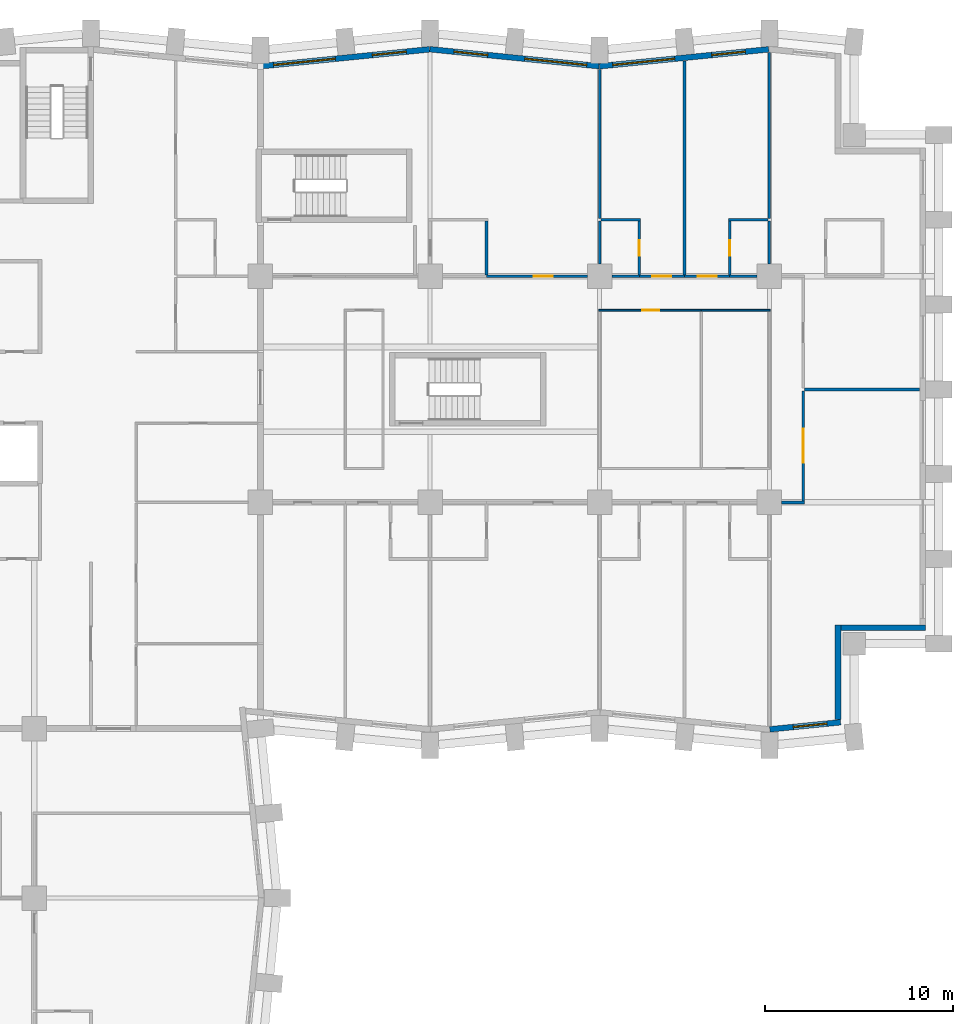
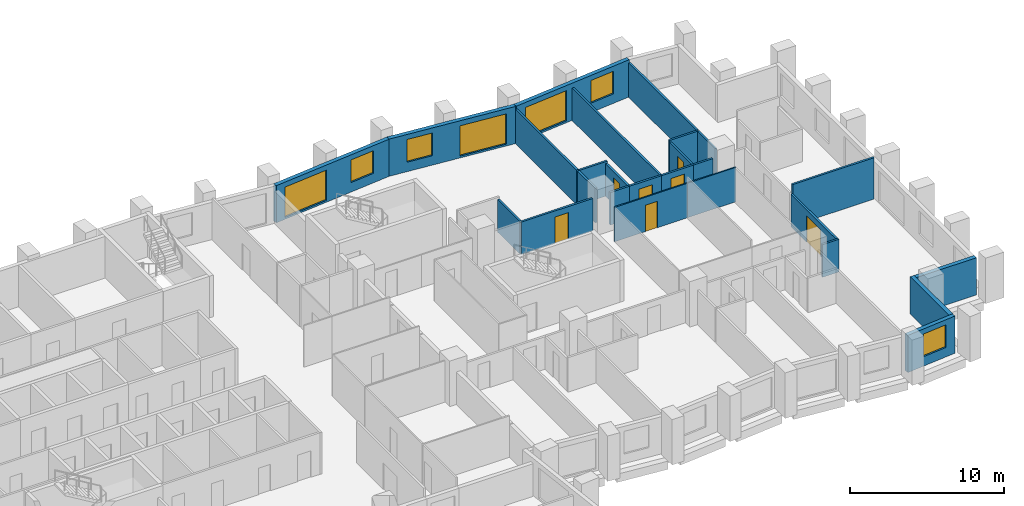
# One storey, part 9 of 13: 26 walls, 7 doors, 7 windows, 14 openings.
"""IFC4 building model written with IfcOpenShell, lengths in metres."""

from ifc_helpers import new_model, si_unit, direction, frame, frame_2d, origin, place, context, subcontext, project, spatial, rectangle, extrude, material, layer, layer_set, type_object, element, fill, save


model = new_model("IFC4")

# Units and contexts
model_context = context("Model", 3, precision=1e-05, world=origin(), true_north=direction((0.0, 1.0)))
body_context = subcontext(model_context, "Body", "Model", "MODEL_VIEW")
ifc_project = project(units=[si_unit("LENGTHUNIT", "METRE"), si_unit("AREAUNIT", "SQUARE_METRE"), si_unit("VOLUMEUNIT", "CUBIC_METRE"), si_unit("PLANEANGLEUNIT", "RADIAN"), si_unit("MASSUNIT", "GRAM", prefix="KILO")], contexts=[model_context])

# Site, building, storey
site_placement = place(None, origin())
site = spatial("IfcSite", under=ifc_project, at=site_placement, CompositionType="ELEMENT")
building_placement = place(site_placement, origin())
building = spatial("IfcBuilding", under=site, at=building_placement, Name="Brondeck Convention Tower", CompositionType="ELEMENT")
storey_placement = place(building_placement, frame((0.0, 0.0, 73.5)))
storey = spatial("IfcBuildingStorey", under=building, at=storey_placement, Name="L16", CompositionType="ELEMENT", Elevation=73.5)

# Wall, opening, window
ifc_material_1 = material(Name="Precast concrete C50/60 bronze finish", Category="concrete")
ifc_layer_1 = layer(ifc_material_1, 0.070068359375, Name="Bronze precast facing")
ifc_material_2 = material(Name="Mineral wool")
ifc_layer_2 = layer(ifc_material_2, 0.159912109375, Name="Insulation")
ifc_material_3 = material(Name="Concrete C35/45", Category="concrete")
ifc_layer_3 = layer(ifc_material_3, 0.070068359375, Name="Backing")
ifc_layer_set_1 = layer_set([ifc_layer_1, ifc_layer_2, ifc_layer_3], Name="External infill wall, precast concrete C50/60 bronze facing")
wall_type_1 = type_object("IfcWallType", Name="External infill wall, precast concrete C50/60 bronze facing", PredefinedType="SOLIDWALL", material=ifc_layer_set_1)
wall_1_placement = place(storey_placement, frame((66.78515625, 27.332763671875, 0.0), z_axis=(0.0, 0.0, 1.0), x_axis=(-0.995038471088, -0.099490909409, 0.0)))
wall_1 = element("IfcWall", 1, at=wall_1_placement, inside=storey, type_object=wall_type_1, Name="ENV-EW-L16-P0-A-S-06", PredefinedType="SOLIDWALL", context=body_context, shape_type="SweptSolid", body=[
    extrude(rectangle(XDim=3.774169921875, YDim=0.300048828125, at=frame_2d((1.88720703125, 0.0))), origin(), (0.0, 0.0, 1.0), 2.949951171875),
])
opening_1_placement = place(wall_1_placement, frame((0.727783203125, 0.0, 0.75)))
opening_1 = element("IfcOpeningElement", 2, at=opening_1_placement, cuts=wall_1, Name="Opening W10", PredefinedType="OPENING", context=body_context, shape_type="SweptSolid", body=[
    extrude(rectangle(XDim=1.800048828125, YDim=1.800048828125, at=frame_2d((0.89990234375, 0.89990234375))), frame((0.0, 0.159912109375, 0.0), z_axis=(0.0, -1.0, 0.0), x_axis=(1.0, 0.0, 0.0)), (0.0, 0.0, 1.0), 0.320068359375),
])
ifc_material_4 = material(Name="Bronze tinted double glazing", Category="glass")
window_type_1 = type_object("IfcWindowType", Name="Punched window, bronze tinted", PartitioningType="SINGLE_PANEL", PredefinedType="WINDOW", material=ifc_material_4)
window_1_placement = place(opening_1_placement, origin())
window_1 = element("IfcWindow", 3, at=window_1_placement, inside=storey, type_object=window_type_1, Name="ENV-WN-L16-P0-A-S-06", OverallHeight=1.800048828125, OverallWidth=1.800048828125, PartitioningType="SINGLE_PANEL", PredefinedType="WINDOW", context=body_context, shape_type="SweptSolid", body=[
    extrude(rectangle(XDim=1.800048828125, YDim=1.800048828125, at=frame_2d((0.89990234375, 0.89990234375))), frame((0.0, 0.030029296875, 0.0), z_axis=(0.0, -1.0, 0.0), x_axis=(1.0, 0.0, 0.0)), (0.0, 0.0, 1.0), 0.06005859375),
])
fill(opening_1, window_1)

# Walls
wall_2_placement = place(storey_placement, frame((66.64990234375, 32.5, 0.0), z_axis=(0.0, 0.0, 1.0), x_axis=(0.0, -1.0, 0.0)))
element("IfcWall", 4, at=wall_2_placement, inside=storey, type_object=wall_type_1, Name="ENV-EW-L16-P0-NC-SEA72-01", PredefinedType="SOLIDWALL", context=body_context, shape_type="SweptSolid", body=[
    extrude(rectangle(XDim=5.02880859375, YDim=0.300048828125, at=frame_2d((2.514404296875, 0.0))), origin(), (0.0, 0.0, 1.0), 2.949951171875),
])
wall_3_placement = place(storey_placement, frame((71.300048828125, 32.35009765625, 0.0), z_axis=(0.0, 0.0, 1.0), x_axis=(-1.0, 0.0, 0.0)))
element("IfcWall", 5, at=wall_3_placement, inside=storey, type_object=wall_type_1, Name="ENV-EW-L16-P0-NC-SEA72-02", PredefinedType="SOLIDWALL", context=body_context, shape_type="SweptSolid", body=[
    extrude(rectangle(XDim=4.5, YDim=0.300048828125, at=frame_2d((2.25, 0.0))), origin(), (0.0, 0.0, 1.0), 2.949951171875),
])

# Wall, openings, windows
wall_4_placement = place(storey_placement, frame((53.985107421875, 62.144287109375, 0.0), z_axis=(0.0, 0.0, 1.0), x_axis=(0.995037993253, 0.099495688264, 0.0)))
wall_4 = element("IfcWall", 6, at=wall_4_placement, inside=storey, type_object=wall_type_1, Name="ENV-EW-L16-P0-A-N-13", PredefinedType="SOLIDWALL", context=body_context, shape_type="SweptSolid", body=[
    extrude(rectangle(XDim=9.030029296875, YDim=0.300048828125, at=frame_2d((4.51513671875, 0.0))), origin(), (0.0, 0.0, 1.0), 2.949951171875),
])
opening_2_placement = place(wall_4_placement, frame((0.711181640625, 0.0, 0.14990234375)))
opening_2 = element("IfcOpeningElement", 7, at=opening_2_placement, cuts=wall_4, Name="Opening W9", PredefinedType="OPENING", context=body_context, shape_type="SweptSolid", body=[
    extrude(rectangle(XDim=3.300048828125, YDim=2.39990234375, at=frame_2d((1.64990234375, 1.199951171875))), frame((0.0, 0.159912109375, 0.0), z_axis=(0.0, -1.0, 0.0), x_axis=(1.0, 0.0, 0.0)), (0.0, 0.0, 1.0), 0.320068359375),
])
opening_3_placement = place(wall_4_placement, frame((5.983642578125, 0.0, 0.75)))
opening_3 = element("IfcOpeningElement", 8, at=opening_3_placement, cuts=wall_4, Name="Opening W10", PredefinedType="OPENING", context=body_context, shape_type="SweptSolid", body=[
    extrude(rectangle(XDim=1.800048828125, YDim=1.800048828125, at=frame_2d((0.89990234375, 0.89990234375))), frame((0.0, 0.159912109375, 0.0), z_axis=(0.0, -1.0, 0.0), x_axis=(1.0, 0.0, 0.0)), (0.0, 0.0, 1.0), 0.320068359375),
])
window_type_2 = type_object("IfcWindowType", Name="Glazed flute window, bronze tinted", PartitioningType="SINGLE_PANEL", PredefinedType="WINDOW", material=ifc_material_4)
window_2_placement = place(opening_2_placement, origin())
window_2 = element("IfcWindow", 9, at=window_2_placement, inside=storey, type_object=window_type_2, Name="ENV-WN-L16-P0-A-N-12", OverallHeight=2.39990234375, OverallWidth=3.300048828125, PartitioningType="SINGLE_PANEL", PredefinedType="WINDOW", context=body_context, shape_type="SweptSolid", body=[
    extrude(rectangle(XDim=3.300048828125, YDim=2.39990234375, at=frame_2d((1.64990234375, 1.199951171875))), frame((0.0, 0.030029296875, 0.0), z_axis=(0.0, -1.0, 0.0), x_axis=(1.0, 0.0, 0.0)), (0.0, 0.0, 1.0), 0.06005859375),
])
fill(opening_2, window_2)
window_3_placement = place(opening_3_placement, origin())
window_3 = element("IfcWindow", 10, at=window_3_placement, inside=storey, type_object=window_type_1, Name="ENV-WN-L16-P0-A-N-13", OverallHeight=1.800048828125, OverallWidth=1.800048828125, PartitioningType="SINGLE_PANEL", PredefinedType="WINDOW", context=body_context, shape_type="SweptSolid", body=[
    extrude(rectangle(XDim=1.800048828125, YDim=1.800048828125, at=frame_2d((0.89990234375, 0.89990234375))), frame((0.0, 0.030029296875, 0.0), z_axis=(0.0, -1.0, 0.0), x_axis=(1.0, 0.0, 0.0)), (0.0, 0.0, 1.0), 0.06005859375),
])
fill(opening_3, window_3)

wall_5_placement = place(storey_placement, frame((44.985107421875, 63.04736328125, 0.0), z_axis=(0.0, 0.0, 1.0), x_axis=(0.995035316196, -0.099522457379, 0.0)))
wall_5 = element("IfcWall", 11, at=wall_5_placement, inside=storey, type_object=wall_type_1, Name="ENV-EW-L16-P0-A-N-11", PredefinedType="SOLIDWALL", context=body_context, shape_type="SweptSolid", body=[
    extrude(rectangle(XDim=9.030029296875, YDim=0.300048828125, at=frame_2d((4.51513671875, 0.0))), origin(), (0.0, 0.0, 1.0), 2.949951171875),
])
opening_4_placement = place(wall_5_placement, frame((1.291259765625, 0.0, 0.75)))
opening_4 = element("IfcOpeningElement", 12, at=opening_4_placement, cuts=wall_5, Name="Opening W10", PredefinedType="OPENING", context=body_context, shape_type="SweptSolid", body=[
    extrude(rectangle(XDim=1.800048828125, YDim=1.800048828125, at=frame_2d((0.89990234375, 0.89990234375))), frame((0.0, 0.159912109375, 0.0), z_axis=(0.0, -1.0, 0.0), x_axis=(1.0, 0.0, 0.0)), (0.0, 0.0, 1.0), 0.320068359375),
])
opening_5_placement = place(wall_5_placement, frame((5.063720703125, 0.0, 0.14990234375)))
opening_5 = element("IfcOpeningElement", 13, at=opening_5_placement, cuts=wall_5, Name="Opening W9", PredefinedType="OPENING", context=body_context, shape_type="SweptSolid", body=[
    extrude(rectangle(XDim=3.300048828125, YDim=2.39990234375, at=frame_2d((1.64990234375, 1.199951171875))), frame((0.0, 0.159912109375, 0.0), z_axis=(0.0, -1.0, 0.0), x_axis=(1.0, 0.0, 0.0)), (0.0, 0.0, 1.0), 0.320068359375),
])
window_4_placement = place(opening_5_placement, origin())
window_4 = element("IfcWindow", 14, at=window_4_placement, inside=storey, type_object=window_type_2, Name="ENV-WN-L16-P0-A-N-11", OverallHeight=2.39990234375, OverallWidth=3.300048828125, PartitioningType="SINGLE_PANEL", PredefinedType="WINDOW", context=body_context, shape_type="SweptSolid", body=[
    extrude(rectangle(XDim=3.300048828125, YDim=2.39990234375, at=frame_2d((1.64990234375, 1.199951171875))), frame((0.0, 0.030029296875, 0.0), z_axis=(0.0, -1.0, 0.0), x_axis=(1.0, 0.0, 0.0)), (0.0, 0.0, 1.0), 0.06005859375),
])
fill(opening_5, window_4)
window_5_placement = place(opening_4_placement, origin())
window_5 = element("IfcWindow", 15, at=window_5_placement, inside=storey, type_object=window_type_1, Name="ENV-WN-L16-P0-A-N-10", OverallHeight=1.800048828125, OverallWidth=1.800048828125, PartitioningType="SINGLE_PANEL", PredefinedType="WINDOW", context=body_context, shape_type="SweptSolid", body=[
    extrude(rectangle(XDim=1.800048828125, YDim=1.800048828125, at=frame_2d((0.89990234375, 0.89990234375))), frame((0.0, 0.030029296875, 0.0), z_axis=(0.0, -1.0, 0.0), x_axis=(1.0, 0.0, 0.0)), (0.0, 0.0, 1.0), 0.06005859375),
])
fill(opening_4, window_5)

wall_6_placement = place(storey_placement, frame((35.985107421875, 62.144287109375, 0.0), z_axis=(0.0, 0.0, 1.0), x_axis=(0.995037993253, 0.099495688264, 0.0)))
wall_6 = element("IfcWall", 16, at=wall_6_placement, inside=storey, type_object=wall_type_1, Name="ENV-EW-L16-P0-A-N-09", PredefinedType="SOLIDWALL", context=body_context, shape_type="SweptSolid", body=[
    extrude(rectangle(XDim=9.030029296875, YDim=0.300048828125, at=frame_2d((4.51513671875, 0.0))), origin(), (0.0, 0.0, 1.0), 2.949951171875),
])
opening_6_placement = place(wall_6_placement, frame((0.711181640625, 0.0, 0.14990234375)))
opening_6 = element("IfcOpeningElement", 17, at=opening_6_placement, cuts=wall_6, Name="Opening W9", PredefinedType="OPENING", context=body_context, shape_type="SweptSolid", body=[
    extrude(rectangle(XDim=3.300048828125, YDim=2.39990234375, at=frame_2d((1.64990234375, 1.199951171875))), frame((0.0, 0.159912109375, 0.0), z_axis=(0.0, -1.0, 0.0), x_axis=(1.0, 0.0, 0.0)), (0.0, 0.0, 1.0), 0.320068359375),
])
opening_7_placement = place(wall_6_placement, frame((5.983642578125, 0.0, 0.75)))
opening_7 = element("IfcOpeningElement", 18, at=opening_7_placement, cuts=wall_6, Name="Opening W10", PredefinedType="OPENING", context=body_context, shape_type="SweptSolid", body=[
    extrude(rectangle(XDim=1.800048828125, YDim=1.800048828125, at=frame_2d((0.89990234375, 0.89990234375))), frame((0.0, 0.159912109375, 0.0), z_axis=(0.0, -1.0, 0.0), x_axis=(1.0, 0.0, 0.0)), (0.0, 0.0, 1.0), 0.320068359375),
])
window_6_placement = place(opening_6_placement, origin())
window_6 = element("IfcWindow", 19, at=window_6_placement, inside=storey, type_object=window_type_2, Name="ENV-WN-L16-P0-A-N-08", OverallHeight=2.39990234375, OverallWidth=3.300048828125, PartitioningType="SINGLE_PANEL", PredefinedType="WINDOW", context=body_context, shape_type="SweptSolid", body=[
    extrude(rectangle(XDim=3.300048828125, YDim=2.39990234375, at=frame_2d((1.64990234375, 1.199951171875))), frame((0.0, 0.030029296875, 0.0), z_axis=(0.0, -1.0, 0.0), x_axis=(1.0, 0.0, 0.0)), (0.0, 0.0, 1.0), 0.06005859375),
])
fill(opening_6, window_6)
window_7_placement = place(opening_7_placement, origin())
window_7 = element("IfcWindow", 20, at=window_7_placement, inside=storey, type_object=window_type_1, Name="ENV-WN-L16-P0-A-N-09", OverallHeight=1.800048828125, OverallWidth=1.800048828125, PartitioningType="SINGLE_PANEL", PredefinedType="WINDOW", context=body_context, shape_type="SweptSolid", body=[
    extrude(rectangle(XDim=1.800048828125, YDim=1.800048828125, at=frame_2d((0.89990234375, 0.89990234375))), frame((0.0, 0.030029296875, 0.0), z_axis=(0.0, -1.0, 0.0), x_axis=(1.0, 0.0, 0.0)), (0.0, 0.0, 1.0), 0.06005859375),
])
fill(opening_7, window_7)

# Wall
ifc_material_5 = material(Name="Double gypsum board acoustic wall")
ifc_layer_4 = layer(ifc_material_5, 0.14990234375)
ifc_layer_set_2 = layer_set([ifc_layer_4], Name="Guest room party wall 150")
wall_type_2 = type_object("IfcWallType", Name="Guest room party wall 150", PredefinedType="PARTITIONING", material=ifc_layer_set_2)
wall_7_placement = place(storey_placement, frame((64.875, 39.0, 0.0), z_axis=(0.0, 0.0, 1.0), x_axis=(-1.0, 0.0, 0.0)))
element("IfcWall", 21, at=wall_7_placement, inside=storey, type_object=wall_type_2, Name="FLR-L16-W072", PredefinedType="PARTITIONING", context=body_context, shape_type="SweptSolid", body=[
    extrude(rectangle(XDim=1.219970703125, YDim=0.14990234375, at=frame_2d((0.60986328125, 0.0))), origin(), (0.0, 0.0, 1.0), 2.580078125),
])

# Wall, opening, door
wall_8_placement = place(storey_placement, frame((64.800048828125, 44.925048828125, 0.0), z_axis=(0.0, 0.0, 1.0), x_axis=(0.0, -1.0, 0.0)))
wall_8 = element("IfcWall", 22, at=wall_8_placement, inside=storey, type_object=wall_type_2, Name="FLR-L16-W080", PredefinedType="PARTITIONING", context=body_context, shape_type="SweptSolid", body=[
    extrude(rectangle(XDim=5.85009765625, YDim=0.14990234375, at=frame_2d((2.925048828125, 0.0))), origin(), (0.0, 0.0, 1.0), 2.580078125),
])
opening_8_placement = place(wall_8_placement, frame((2.02490234375, 0.0, 0.0)))
opening_8 = element("IfcOpeningElement", 23, at=opening_8_placement, cuts=wall_8, Name="Opening H4-022", PredefinedType="OPENING", context=body_context, shape_type="SweptSolid", body=[
    extrude(rectangle(XDim=1.800048828125, YDim=2.10009765625, at=frame_2d((0.89990234375, 1.050048828125))), frame((0.0, 0.0849609375, 0.0), z_axis=(0.0, -1.0, 0.0), x_axis=(1.0, 0.0, 0.0)), (0.0, 0.0, 1.0), 0.169921875),
])
ifc_material_6 = material(Name="Glazed timber double door", Category="wood")
door_type_1 = type_object("IfcDoorType", Name="Double door 1800", OperationType="DOUBLE_DOOR_SINGLE_SWING", PredefinedType="DOOR", material=ifc_material_6)
door_1_placement = place(opening_8_placement, origin())
door_1 = element("IfcDoor", 24, at=door_1_placement, inside=storey, type_object=door_type_1, Name="Door H4-022", OperationType="DOUBLE_DOOR_SINGLE_SWING", OverallHeight=2.10009765625, OverallWidth=1.800048828125, PredefinedType="DOOR", context=body_context, shape_type="SweptSolid", body=[
    extrude(rectangle(XDim=1.800048828125, YDim=2.10009765625, at=frame_2d((0.89990234375, 1.050048828125))), frame((0.0, 0.02490234375, 0.0), z_axis=(0.0, -1.0, 0.0), x_axis=(1.0, 0.0, 0.0)), (0.0, 0.0, 1.0), 0.050048828125),
])
fill(opening_8, door_1)

# Wall
wall_9_placement = place(storey_placement, frame((70.97998046875, 45.0, 0.0), z_axis=(0.0, 0.0, 1.0), x_axis=(-1.0, 0.0, 0.0)))
element("IfcWall", 25, at=wall_9_placement, inside=storey, type_object=wall_type_2, Name="FLR-L16-W081", PredefinedType="PARTITIONING", context=body_context, shape_type="SweptSolid", body=[
    extrude(rectangle(XDim=6.10498046875, YDim=0.14990234375, at=frame_2d((3.052490234375, 0.0))), origin(), (0.0, 0.0, 1.0), 3.280029296875),
])

# Wall, opening, door
wall_10_placement = place(storey_placement, frame((48.0, 51.0, 0.0), z_axis=(0.0, 0.0, 1.0), x_axis=(1.0, 0.0, 0.0)))
wall_10 = element("IfcWall", 26, at=wall_10_placement, inside=storey, type_object=wall_type_2, Name="FLR-L16-W100", PredefinedType="PARTITIONING", context=body_context, shape_type="SweptSolid", body=[
    extrude(rectangle(XDim=5.344970703125, YDim=0.14990234375, at=frame_2d((2.67236328125, 0.0))), origin(), (0.0, 0.0, 1.0), 2.580078125),
])
opening_9_placement = place(wall_10_placement, frame((2.5, 0.0, 0.0)))
opening_9 = element("IfcOpeningElement", 27, at=opening_9_placement, cuts=wall_10, Name="Opening H4-002", PredefinedType="OPENING", context=body_context, shape_type="SweptSolid", body=[
    extrude(rectangle(XDim=1.0, YDim=2.10009765625, at=frame_2d((0.5, 1.050048828125))), frame((0.0, 0.0849609375, 0.0), z_axis=(0.0, -1.0, 0.0), x_axis=(1.0, 0.0, 0.0)), (0.0, 0.0, 1.0), 0.169921875),
])
ifc_material_7 = material(Name="Solid timber fire door leaf", Category="wood")
door_type_2 = type_object("IfcDoorType", Name="Guest room door 1000", OperationType="NOTDEFINED", PredefinedType="DOOR", material=ifc_material_7)
door_2_placement = place(opening_9_placement, origin())
door_2 = element("IfcDoor", 28, at=door_2_placement, inside=storey, type_object=door_type_2, Name="Door H4-002", OperationType="SINGLE_SWING_RIGHT", OverallHeight=2.10009765625, OverallWidth=1.0, PredefinedType="DOOR", context=body_context, shape_type="SweptSolid", body=[
    extrude(rectangle(XDim=1.0, YDim=2.10009765625, at=frame_2d((0.5, 1.050048828125))), frame((0.0, 0.02490234375, 0.0), z_axis=(0.0, -1.0, 0.0), x_axis=(1.0, 0.0, 0.0)), (0.0, 0.0, 1.0), 0.050048828125),
])
fill(opening_9, door_2)

# Wall
wall_11_placement = place(storey_placement, frame((54.655029296875, 51.0, 0.0), z_axis=(0.0, 0.0, 1.0), x_axis=(1.0, 0.0, 0.0)))
element("IfcWall", 29, at=wall_11_placement, inside=storey, type_object=wall_type_2, Name="FLR-L16-W101", PredefinedType="PARTITIONING", context=body_context, shape_type="SweptSolid", body=[
    extrude(rectangle(XDim=1.445068359375, YDim=0.14990234375, at=frame_2d((0.72265625, 0.0))), origin(), (0.0, 0.0, 1.0), 2.580078125),
])

# Wall, opening, door
wall_12_placement = place(storey_placement, frame((56.10009765625, 51.0, 0.0), z_axis=(0.0, 0.0, 1.0), x_axis=(1.0, 0.0, 0.0)))
wall_12 = element("IfcWall", 30, at=wall_12_placement, inside=storey, type_object=wall_type_2, Name="FLR-L16-W102", PredefinedType="PARTITIONING", context=body_context, shape_type="SweptSolid", body=[
    extrude(rectangle(XDim=2.39990234375, YDim=0.14990234375, at=frame_2d((1.199951171875, 0.0))), origin(), (0.0, 0.0, 1.0), 2.580078125),
])
opening_10_placement = place(wall_12_placement, frame((0.699951171875, 0.0, 0.0)))
opening_10 = element("IfcOpeningElement", 31, at=opening_10_placement, cuts=wall_12, Name="Opening H4-004", PredefinedType="OPENING", context=body_context, shape_type="SweptSolid", body=[
    extrude(rectangle(XDim=1.0, YDim=2.10009765625, at=frame_2d((0.5, 1.050048828125))), frame((0.0, 0.0849609375, 0.0), z_axis=(0.0, -1.0, 0.0), x_axis=(1.0, 0.0, 0.0)), (0.0, 0.0, 1.0), 0.169921875),
])
door_3_placement = place(opening_10_placement, origin())
door_3 = element("IfcDoor", 32, at=door_3_placement, inside=storey, type_object=door_type_2, Name="Door H4-004", OperationType="SINGLE_SWING_LEFT", OverallHeight=2.10009765625, OverallWidth=1.0, PredefinedType="DOOR", context=body_context, shape_type="SweptSolid", body=[
    extrude(rectangle(XDim=1.0, YDim=2.10009765625, at=frame_2d((0.5, 1.050048828125))), frame((0.0, 0.02490234375, 0.0), z_axis=(0.0, -1.0, 0.0), x_axis=(1.0, 0.0, 0.0)), (0.0, 0.0, 1.0), 0.050048828125),
])
fill(opening_10, door_3)

wall_13_placement = place(storey_placement, frame((58.5, 51.0, 0.0), z_axis=(0.0, 0.0, 1.0), x_axis=(1.0, 0.0, 0.0)))
wall_13 = element("IfcWall", 33, at=wall_13_placement, inside=storey, type_object=wall_type_2, Name="FLR-L16-W103", PredefinedType="PARTITIONING", context=body_context, shape_type="SweptSolid", body=[
    extrude(rectangle(XDim=2.39990234375, YDim=0.14990234375, at=frame_2d((1.199951171875, 0.0))), origin(), (0.0, 0.0, 1.0), 2.580078125),
])
opening_11_placement = place(wall_13_placement, frame((0.699951171875, 0.0, 0.0)))
opening_11 = element("IfcOpeningElement", 34, at=opening_11_placement, cuts=wall_13, Name="Opening H4-006", PredefinedType="OPENING", context=body_context, shape_type="SweptSolid", body=[
    extrude(rectangle(XDim=1.0, YDim=2.10009765625, at=frame_2d((0.5, 1.050048828125))), frame((0.0, 0.0849609375, 0.0), z_axis=(0.0, -1.0, 0.0), x_axis=(1.0, 0.0, 0.0)), (0.0, 0.0, 1.0), 0.169921875),
])
door_4_placement = place(opening_11_placement, origin())
door_4 = element("IfcDoor", 35, at=door_4_placement, inside=storey, type_object=door_type_2, Name="Door H4-006", OperationType="SINGLE_SWING_LEFT", OverallHeight=2.10009765625, OverallWidth=1.0, PredefinedType="DOOR", context=body_context, shape_type="SweptSolid", body=[
    extrude(rectangle(XDim=1.0, YDim=2.10009765625, at=frame_2d((0.5, 1.050048828125))), frame((0.0, 0.02490234375, 0.0), z_axis=(0.0, -1.0, 0.0), x_axis=(1.0, 0.0, 0.0)), (0.0, 0.0, 1.0), 0.050048828125),
])
fill(opening_11, door_4)

# Walls
wall_14_placement = place(storey_placement, frame((60.89990234375, 51.0, 0.0), z_axis=(0.0, 0.0, 1.0), x_axis=(1.0, 0.0, 0.0)))
element("IfcWall", 36, at=wall_14_placement, inside=storey, type_object=wall_type_2, Name="FLR-L16-W104", PredefinedType="PARTITIONING", context=body_context, shape_type="SweptSolid", body=[
    extrude(rectangle(XDim=1.445068359375, YDim=0.14990234375, at=frame_2d((0.72265625, 0.0))), origin(), (0.0, 0.0, 1.0), 2.580078125),
])
wall_15_placement = place(storey_placement, frame((48.0, 51.074951171875, 0.0), z_axis=(0.0, 0.0, 1.0), x_axis=(0.0, 1.0, 0.0)))
element("IfcWall", 37, at=wall_15_placement, inside=storey, type_object=wall_type_2, Name="FLR-L16-W108", PredefinedType="PARTITIONING", context=body_context, shape_type="SweptSolid", body=[
    extrude(rectangle(XDim=2.85009765625, YDim=0.14990234375, at=frame_2d((1.425048828125, 0.0))), origin(), (0.0, 0.0, 1.0), 2.580078125),
])

# Wall, opening, door
wall_16_placement = place(storey_placement, frame((56.10009765625, 51.074951171875, 0.0), z_axis=(0.0, 0.0, 1.0), x_axis=(0.0, 1.0, 0.0)))
wall_16 = element("IfcWall", 38, at=wall_16_placement, inside=storey, type_object=wall_type_2, Name="FLR-L16-W109", PredefinedType="PARTITIONING", context=body_context, shape_type="SweptSolid", body=[
    extrude(rectangle(XDim=2.85009765625, YDim=0.14990234375, at=frame_2d((1.425048828125, 0.0))), origin(), (0.0, 0.0, 1.0), 2.580078125),
])
opening_12_placement = place(wall_16_placement, frame((1.02490234375, 0.0, 0.0)))
opening_12 = element("IfcOpeningElement", 39, at=opening_12_placement, cuts=wall_16, Name="Opening H4-005", PredefinedType="OPENING", context=body_context, shape_type="SweptSolid", body=[
    extrude(rectangle(XDim=0.800048828125, YDim=2.10009765625, at=frame_2d((0.39990234375, 1.050048828125))), frame((0.0, 0.0849609375, 0.0), z_axis=(0.0, -1.0, 0.0), x_axis=(1.0, 0.0, 0.0)), (0.0, 0.0, 1.0), 0.169921875),
])
ifc_material_8 = material(Name="Solid timber door leaf", Category="wood")
door_type_3 = type_object("IfcDoorType", Name="En-suite door 800", OperationType="NOTDEFINED", PredefinedType="DOOR", material=ifc_material_8)
door_5_placement = place(opening_12_placement, origin())
door_5 = element("IfcDoor", 40, at=door_5_placement, inside=storey, type_object=door_type_3, Name="Door H4-005", OperationType="SINGLE_SWING_LEFT", OverallHeight=2.10009765625, OverallWidth=0.800048828125, PredefinedType="DOOR", context=body_context, shape_type="SweptSolid", body=[
    extrude(rectangle(XDim=0.800048828125, YDim=2.10009765625, at=frame_2d((0.39990234375, 1.050048828125))), frame((0.0, 0.02490234375, 0.0), z_axis=(0.0, -1.0, 0.0), x_axis=(1.0, 0.0, 0.0)), (0.0, 0.0, 1.0), 0.050048828125),
])
fill(opening_12, door_5)

# Wall
wall_17_placement = place(storey_placement, frame((54.0, 53.925048828125, 0.0), z_axis=(0.0, 0.0, 1.0), x_axis=(0.0, -1.0, 0.0)))
element("IfcWall", 41, at=wall_17_placement, inside=storey, type_object=wall_type_2, Name="FLR-L16-W115", PredefinedType="PARTITIONING", context=body_context, shape_type="SweptSolid", body=[
    extrude(rectangle(XDim=2.27001953125, YDim=0.14990234375, at=frame_2d((1.135009765625, 0.0))), origin(), (0.0, 0.0, 1.0), 2.72998046875),
])

# Wall, opening, door
wall_18_placement = place(storey_placement, frame((60.89990234375, 53.925048828125, 0.0), z_axis=(0.0, 0.0, 1.0), x_axis=(0.0, -1.0, 0.0)))
wall_18 = element("IfcWall", 42, at=wall_18_placement, inside=storey, type_object=wall_type_2, Name="FLR-L16-W116", PredefinedType="PARTITIONING", context=body_context, shape_type="SweptSolid", body=[
    extrude(rectangle(XDim=2.85009765625, YDim=0.14990234375, at=frame_2d((1.425048828125, 0.0))), origin(), (0.0, 0.0, 1.0), 2.580078125),
])
opening_13_placement = place(wall_18_placement, frame((1.02490234375, 0.0, 0.0)))
opening_13 = element("IfcOpeningElement", 43, at=opening_13_placement, cuts=wall_18, Name="Opening H4-007", PredefinedType="OPENING", context=body_context, shape_type="SweptSolid", body=[
    extrude(rectangle(XDim=0.800048828125, YDim=2.10009765625, at=frame_2d((0.39990234375, 1.050048828125))), frame((0.0, 0.0849609375, 0.0), z_axis=(0.0, -1.0, 0.0), x_axis=(1.0, 0.0, 0.0)), (0.0, 0.0, 1.0), 0.169921875),
])
door_6_placement = place(opening_13_placement, origin())
door_6 = element("IfcDoor", 44, at=door_6_placement, inside=storey, type_object=door_type_3, Name="Door H4-007", OperationType="SINGLE_SWING_LEFT", OverallHeight=2.10009765625, OverallWidth=0.800048828125, PredefinedType="DOOR", context=body_context, shape_type="SweptSolid", body=[
    extrude(rectangle(XDim=0.800048828125, YDim=2.10009765625, at=frame_2d((0.39990234375, 1.050048828125))), frame((0.0, 0.02490234375, 0.0), z_axis=(0.0, -1.0, 0.0), x_axis=(1.0, 0.0, 0.0)), (0.0, 0.0, 1.0), 0.050048828125),
])
fill(opening_13, door_6)

# Walls
wall_19_placement = place(storey_placement, frame((63.0, 53.925048828125, 0.0), z_axis=(0.0, 0.0, 1.0), x_axis=(0.0, -1.0, 0.0)))
element("IfcWall", 45, at=wall_19_placement, inside=storey, type_object=wall_type_2, Name="FLR-L16-W117", PredefinedType="PARTITIONING", context=body_context, shape_type="SweptSolid", body=[
    extrude(rectangle(XDim=2.27001953125, YDim=0.14990234375, at=frame_2d((1.135009765625, 0.0))), origin(), (0.0, 0.0, 1.0), 2.72998046875),
])
for number, where, z_axis, x_axis, name in (
    (46, (56.175048828125, 54.0, 0.0), (0.0, 0.0, 1.0), (-1.0, 0.0, 0.0), "FLR-L16-W121"),
    (47, (62.925048828125, 54.0, 0.0), (0.0, 0.0, 1.0), (-1.0, 0.0, 0.0), "FLR-L16-W122"),
):
    element("IfcWall", number, at=place(storey_placement, frame(where, z_axis=z_axis, x_axis=x_axis)), inside=storey, type_object=wall_type_2, Name=name, PredefinedType="PARTITIONING", context=body_context, shape_type="SweptSolid", body=[
        extrude(rectangle(XDim=2.10009765625, YDim=0.14990234375, at=frame_2d((1.050048828125, 0.0))), origin(), (0.0, 0.0, 1.0), 2.72998046875),
    ])
wall_20_placement = place(storey_placement, frame((54.0, 61.97509765625, 0.0), z_axis=(0.0, 0.0, 1.0), x_axis=(0.0, -1.0, 0.0)))
element("IfcWall", 48, at=wall_20_placement, inside=storey, type_object=wall_type_2, Name="FLR-L16-W125", PredefinedType="PARTITIONING", context=body_context, shape_type="SweptSolid", body=[
    extrude(rectangle(XDim=7.900146484375, YDim=0.14990234375, at=frame_2d((3.9501953125, 0.0))), origin(), (0.0, 0.0, 1.0), 2.72998046875),
])
wall_21_placement = place(storey_placement, frame((58.5, 62.425048828125, 0.0), z_axis=(0.0, 0.0, 1.0), x_axis=(0.0, -1.0, 0.0)))
element("IfcWall", 49, at=wall_21_placement, inside=storey, type_object=wall_type_2, Name="FLR-L16-W127", PredefinedType="PARTITIONING", context=body_context, shape_type="SweptSolid", body=[
    extrude(rectangle(XDim=11.35009765625, YDim=0.14990234375, at=frame_2d((5.675048828125, 0.0))), origin(), (0.0, 0.0, 1.0), 2.580078125),
])
wall_22_placement = place(storey_placement, frame((63.0, 62.875, 0.0), z_axis=(0.0, 0.0, 1.0), x_axis=(0.0, -1.0, 0.0)))
element("IfcWall", 50, at=wall_22_placement, inside=storey, type_object=wall_type_2, Name="FLR-L16-W128", PredefinedType="PARTITIONING", context=body_context, shape_type="SweptSolid", body=[
    extrude(rectangle(XDim=8.800048828125, YDim=0.14990234375, at=frame_2d((4.39990234375, 0.0))), origin(), (0.0, 0.0, 1.0), 2.72998046875),
])

# Wall, opening, door
ifc_material_9 = material(Name="Gypsum board partition on steel studs", Category="steel")
ifc_layer_5 = layer(ifc_material_9, 0.10009765625)
ifc_layer_set_3 = layer_set([ifc_layer_5], Name="Room partition 100")
wall_type_3 = type_object("IfcWallType", Name="Room partition 100", PredefinedType="PARTITIONING", material=ifc_layer_set_3)
wall_23_placement = place(storey_placement, frame((59.39990234375, 49.199951171875, 0.0), z_axis=(0.0, 0.0, 1.0), x_axis=(-1.0, 0.0, 0.0)))
wall_23 = element("IfcWall", 51, at=wall_23_placement, inside=storey, type_object=wall_type_3, Name="FLR-L16-W090", PredefinedType="PARTITIONING", context=body_context, shape_type="SweptSolid", body=[
    extrude(rectangle(XDim=5.449951171875, YDim=0.10009765625, at=frame_2d((2.72509765625, 0.0))), origin(), (0.0, 0.0, 1.0), 2.72998046875),
])
opening_14_placement = place(wall_23_placement, frame((2.25, 0.0, 0.0)))
opening_14 = element("IfcOpeningElement", 52, at=opening_14_placement, cuts=wall_23, Name="Opening H4-018", PredefinedType="OPENING", context=body_context, shape_type="SweptSolid", body=[
    extrude(rectangle(XDim=0.89990234375, YDim=2.10009765625, at=frame_2d((0.449951171875, 1.050048828125))), frame((0.0, 0.06005859375, 0.0), z_axis=(0.0, -1.0, 0.0), x_axis=(1.0, 0.0, 0.0)), (0.0, 0.0, 1.0), 0.1201171875),
])
door_type_4 = type_object("IfcDoorType", Name="Single door 900", OperationType="NOTDEFINED", PredefinedType="DOOR", material=ifc_material_8)
door_7_placement = place(opening_14_placement, origin())
door_7 = element("IfcDoor", 53, at=door_7_placement, inside=storey, type_object=door_type_4, Name="Door H4-018", OperationType="SINGLE_SWING_LEFT", OverallHeight=2.10009765625, OverallWidth=0.89990234375, PredefinedType="DOOR", context=body_context, shape_type="SweptSolid", body=[
    extrude(rectangle(XDim=0.89990234375, YDim=2.10009765625, at=frame_2d((0.449951171875, 1.050048828125))), frame((0.0, 0.02490234375, 0.0), z_axis=(0.0, -1.0, 0.0), x_axis=(1.0, 0.0, 0.0)), (0.0, 0.0, 1.0), 0.050048828125),
])
fill(opening_14, door_7)

# Wall
wall_24_placement = place(storey_placement, frame((63.050048828125, 49.199951171875, 0.0), z_axis=(0.0, 0.0, 1.0), x_axis=(-1.0, 0.0, 0.0)))
element("IfcWall", 54, at=wall_24_placement, inside=storey, type_object=wall_type_3, Name="FLR-L16-W091", PredefinedType="PARTITIONING", context=body_context, shape_type="SweptSolid", body=[
    extrude(rectangle(XDim=3.650146484375, YDim=0.10009765625, at=frame_2d((1.8251953125, 0.0))), origin(), (0.0, 0.0, 1.0), 2.72998046875),
])

save(model, "model.ifc")
